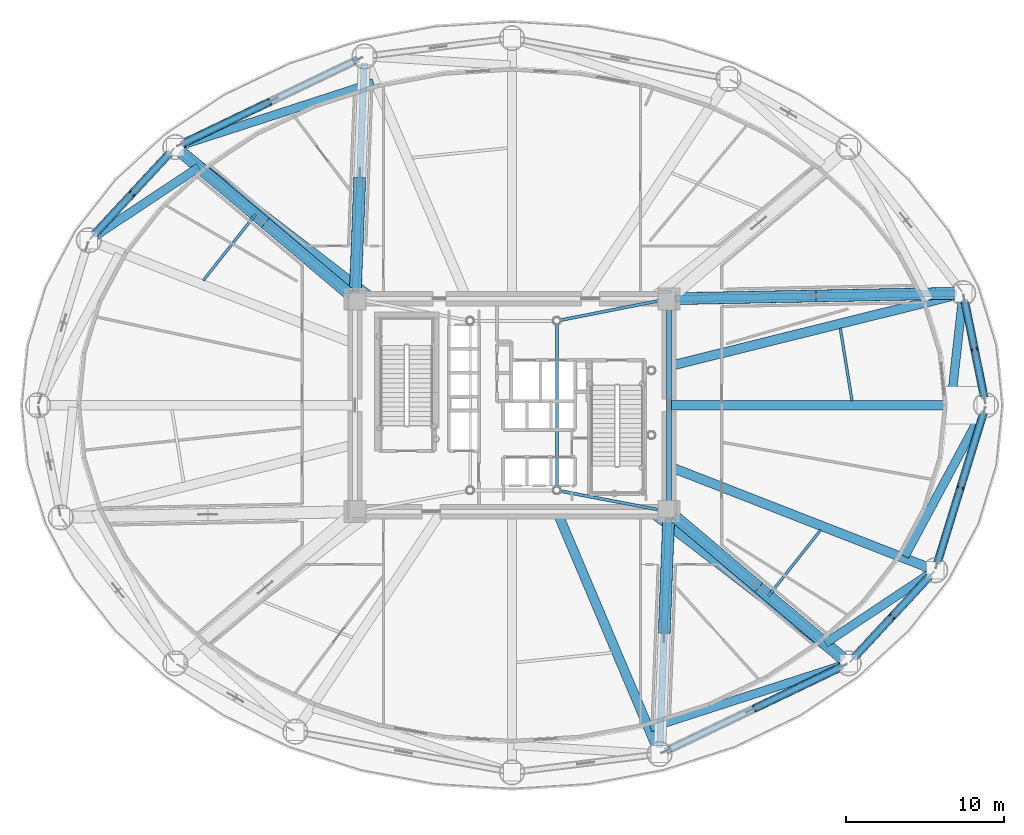
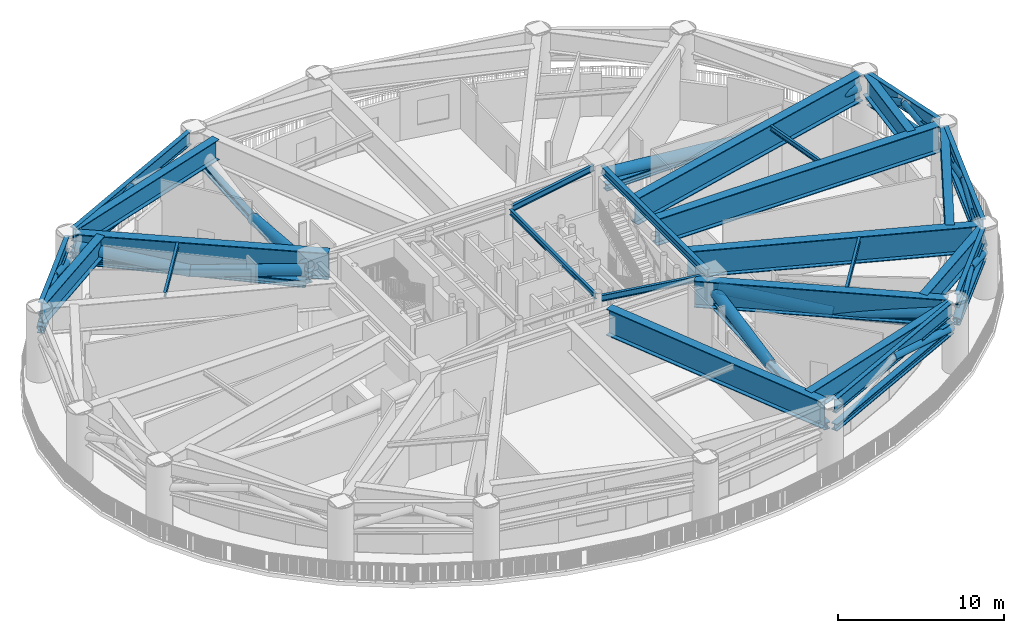
# One storey, part 4 of 22: 36 beams, 18 members.
"""IFC4 building model written with IfcOpenShell, lengths in metres."""

from ifc_helpers import new_model, si_unit, direction, frame, origin, origin_2d, place, context, subcontext, project, spatial, hollow_circle, i_section, extrude, material, material_profile, profile_set, type_object, element, save


model = new_model("IFC4")

# Units and contexts
model_context = context("Model", 3, precision=1e-05, world=origin(), true_north=direction((0.0, 1.0)))
body_context = subcontext(model_context, "Body", "Model", "MODEL_VIEW")
ifc_project = project(units=[si_unit("LENGTHUNIT", "METRE"), si_unit("AREAUNIT", "SQUARE_METRE"), si_unit("VOLUMEUNIT", "CUBIC_METRE"), si_unit("PLANEANGLEUNIT", "RADIAN"), si_unit("MASSUNIT", "GRAM", prefix="KILO")], contexts=[model_context])

# Site, building, storey
site_placement = place(None, origin())
site = spatial("IfcSite", under=ifc_project, at=site_placement, CompositionType="ELEMENT")
building_placement = place(site_placement, origin())
building = spatial("IfcBuilding", under=site, at=building_placement, Name="Linh Dai School and Residence Tower", CompositionType="ELEMENT")
storey_placement = place(building_placement, frame((0.0, 0.0, 87.0)))
storey = spatial("IfcBuildingStorey", under=building, at=storey_placement, Name="L20", CompositionType="ELEMENT", Elevation=87.0)

# Beams
ifc_material = material(Name="Structural Steel S355JR", Category="steel")
ifc_material_profile_1 = material_profile(ifc_material, i_section(OverallWidth=0.41796875, OverallDepth=0.506103515625, WebThickness=0.038818359375, FlangeThickness=0.05810546875, FilletRadius=0.014892578125, at=origin_2d()), Name="HD 400x551")
ifc_profile_set_1 = profile_set([ifc_material_profile_1], Name="Structural Steel S355JR")
beam_type_1 = type_object("IfcBeamType", Name="BM-BC1", PredefinedType="BEAM", material=ifc_profile_set_1)
beam_1_placement = place(storey_placement, frame((65.966552734375, 27.41162109375, 3.050048828125), z_axis=(-0.198429171022, 0.980115230005, 0.0), x_axis=(-0.980115230005, -0.198429171022, 0.0)))
element("IfcBeam", 1, at=beam_1_placement, inside=storey, type_object=beam_type_1, Name="L20 Ring Belt Truss BT2 Bottom Chord 01", PredefinedType="BEAM", context=body_context, shape_type="SweptSolid", body=[
    extrude(i_section(OverallWidth=0.41796875, OverallDepth=0.506103515625, WebThickness=0.038818359375, FlangeThickness=0.05810546875, FilletRadius=0.014892578125, at=origin_2d()), origin(), (0.0, 0.0, 1.0), 6.41259765625),
])
beam_2_placement = place(storey_placement, frame((26.263427734375, 48.938232421875, 3.050048828125), z_axis=(-0.901728693485, -0.432302398034, 0.0), x_axis=(0.432302398034, -0.901728693485, 0.0)))
element("IfcBeam", 2, at=beam_2_placement, inside=storey, type_object=beam_type_1, Name="L20 Ring Belt Truss BT2 Bottom Chord 06", PredefinedType="BEAM", context=body_context, shape_type="SweptSolid", body=[
    extrude(i_section(OverallWidth=0.41796875, OverallDepth=0.506103515625, WebThickness=0.038818359375, FlangeThickness=0.05810546875, FilletRadius=0.014892578125, at=origin_2d()), origin(), (0.0, 0.0, 1.0), 12.462158203125),
])
beam_3_placement = place(storey_placement, frame((14.361572265625, 43.061279296875, 3.050048828125), z_axis=(-0.680408287194, -0.732833243458, 0.0), x_axis=(0.732833243458, -0.680408287194, 0.0)))
element("IfcBeam", 3, at=beam_3_placement, inside=storey, type_object=beam_type_1, Name="L20 Ring Belt Truss BT2 Bottom Chord 07", PredefinedType="BEAM", context=body_context, shape_type="SweptSolid", body=[
    extrude(i_section(OverallWidth=0.41796875, OverallDepth=0.506103515625, WebThickness=0.038818359375, FlangeThickness=0.05810546875, FilletRadius=0.014892578125, at=origin_2d()), origin(), (0.0, 0.0, 1.0), 7.21826171875),
])
beam_4_placement = place(storey_placement, frame((45.736572265625, 5.061767578125, 3.050048828125), z_axis=(0.901728693485, 0.432302398034, 0.0), x_axis=(-0.432302398034, 0.901728693485, 0.0)))
element("IfcBeam", 4, at=beam_4_placement, inside=storey, type_object=beam_type_1, Name="L20 Ring Belt Truss BT2 Bottom Chord 14", PredefinedType="BEAM", context=body_context, shape_type="SweptSolid", body=[
    extrude(i_section(OverallWidth=0.41796875, OverallDepth=0.506103515625, WebThickness=0.038818359375, FlangeThickness=0.05810546875, FilletRadius=0.014892578125, at=origin_2d()), origin(), (0.0, 0.0, 1.0), 12.462158203125),
])
beam_5_placement = place(storey_placement, frame((57.638427734375, 10.938720703125, 3.050048828125), z_axis=(0.680408287194, 0.732833243458, 0.0), x_axis=(-0.732833243458, 0.680408287194, 0.0)))
element("IfcBeam", 5, at=beam_5_placement, inside=storey, type_object=beam_type_1, Name="L20 Ring Belt Truss BT2 Bottom Chord 15", PredefinedType="BEAM", context=body_context, shape_type="SweptSolid", body=[
    extrude(i_section(OverallWidth=0.41796875, OverallDepth=0.506103515625, WebThickness=0.038818359375, FlangeThickness=0.05810546875, FilletRadius=0.014892578125, at=origin_2d()), origin(), (0.0, 0.0, 1.0), 7.21826171875),
])
beam_6_placement = place(storey_placement, frame((62.958740234375, 16.937744140625, 3.050048828125), z_axis=(0.293673329015, 0.95590584046, 0.0), x_axis=(-0.95590584046, 0.293673329015, 0.0)))
element("IfcBeam", 6, at=beam_6_placement, inside=storey, type_object=beam_type_1, Name="L20 Ring Belt Truss BT2 Bottom Chord 16", PredefinedType="BEAM", context=body_context, shape_type="SweptSolid", body=[
    extrude(i_section(OverallWidth=0.41796875, OverallDepth=0.506103515625, WebThickness=0.038818359375, FlangeThickness=0.05810546875, FilletRadius=0.014892578125, at=origin_2d()), origin(), (0.0, 0.0, 1.0), 10.1064453125),
])
beam_7_placement = place(storey_placement, frame((46.369873046875, 33.758056640625, 3.10009765625), z_axis=(0.99981560053, 0.019203253263, 0.0), x_axis=(-0.019203253263, 0.99981560053, 0.0)))
element("IfcBeam", 7, at=beam_7_placement, inside=storey, type_object=beam_type_1, Name="L20 Outrigger Truss OT1 Bottom Chord 01", PredefinedType="BEAM", context=body_context, shape_type="SweptSolid", body=[
    extrude(i_section(OverallWidth=0.41796875, OverallDepth=0.506103515625, WebThickness=0.038818359375, FlangeThickness=0.05810546875, FilletRadius=0.014892578125, at=origin_2d()), origin(), (0.0, 0.0, 1.0), 17.82421875),
])
beam_8_placement = place(storey_placement, frame((26.066162109375, 34.169677734375, 3.10009765625), z_axis=(0.038498246301, 0.999258667729, 0.0), x_axis=(-0.999258667729, 0.038498246301, 0.0)))
element("IfcBeam", 8, at=beam_8_placement, inside=storey, type_object=beam_type_1, Name="L20 Outrigger Truss OT1 Bottom Chord 03", PredefinedType="BEAM", context=body_context, shape_type="SweptSolid", body=[
    extrude(i_section(OverallWidth=0.41796875, OverallDepth=0.506103515625, WebThickness=0.038818359375, FlangeThickness=0.05810546875, FilletRadius=0.014892578125, at=origin_2d()), origin(), (0.0, 0.0, 1.0), 14.541259765625),
])
beam_9_placement = place(storey_placement, frame((25.72900390625, 34.020751953125, 3.10009765625), z_axis=(-0.764352378817, 0.644798760077, 0.0), x_axis=(-0.644798760077, -0.764352378817, 0.0)))
element("IfcBeam", 9, at=beam_9_placement, inside=storey, type_object=beam_type_1, Name="L20 Outrigger Truss OT1 Bottom Chord 04", PredefinedType="BEAM", context=body_context, shape_type="SweptSolid", body=[
    extrude(i_section(OverallWidth=0.41796875, OverallDepth=0.506103515625, WebThickness=0.038818359375, FlangeThickness=0.05810546875, FilletRadius=0.014892578125, at=origin_2d()), origin(), (0.0, 0.0, 1.0), 14.078369140625),
])
beam_10_placement = place(storey_placement, frame((45.933837890625, 19.830322265625, 3.10009765625), z_axis=(-0.038498246301, -0.999258667729, 0.0), x_axis=(0.999258667729, -0.038498246301, 0.0)))
element("IfcBeam", 10, at=beam_10_placement, inside=storey, type_object=beam_type_1, Name="L20 Outrigger Truss OT1 Bottom Chord 07", PredefinedType="BEAM", context=body_context, shape_type="SweptSolid", body=[
    extrude(i_section(OverallWidth=0.41796875, OverallDepth=0.506103515625, WebThickness=0.038818359375, FlangeThickness=0.05810546875, FilletRadius=0.014892578125, at=origin_2d()), origin(), (0.0, 0.0, 1.0), 14.541259765625),
])
beam_11_placement = place(storey_placement, frame((46.27099609375, 19.979248046875, 3.10009765625), z_axis=(0.764352378817, -0.644798760077, 0.0), x_axis=(0.644798760077, 0.764352378817, 0.0)))
element("IfcBeam", 11, at=beam_11_placement, inside=storey, type_object=beam_type_1, Name="L20 Outrigger Truss OT1 Bottom Chord 08", PredefinedType="BEAM", context=body_context, shape_type="SweptSolid", body=[
    extrude(i_section(OverallWidth=0.41796875, OverallDepth=0.506103515625, WebThickness=0.038818359375, FlangeThickness=0.05810546875, FilletRadius=0.014892578125, at=origin_2d()), origin(), (0.0, 0.0, 1.0), 14.078369140625),
])
ifc_material_profile_2 = material_profile(ifc_material, i_section(OverallWidth=0.300048828125, OverallDepth=1.0, WebThickness=0.01904296875, FlangeThickness=0.035888671875, FilletRadius=0.030029296875, at=origin_2d()), Name="HEB 1000")
ifc_profile_set_2 = profile_set([ifc_material_profile_2], Name="Structural Steel S355JR")
beam_type_2 = type_object("IfcBeamType", Name="BM-RG10", PredefinedType="BEAM", material=ifc_profile_set_2)
beam_12_placement = place(storey_placement, frame((65.966552734375, 27.41162109375, 4.60009765625), z_axis=(-0.198429171022, 0.980115230005, 0.0), x_axis=(-0.980115230005, -0.198429171022, 0.0)))
element("IfcBeam", 12, at=beam_12_placement, inside=storey, type_object=beam_type_2, Name="L20 Perimeter Elliptical Ring Beam 01", PredefinedType="BEAM", context=body_context, shape_type="SweptSolid", body=[
    extrude(i_section(OverallWidth=0.300048828125, OverallDepth=1.0, WebThickness=0.01904296875, FlangeThickness=0.035888671875, FilletRadius=0.030029296875, at=origin_2d()), origin(), (0.0, 0.0, 1.0), 6.41259765625),
])
beam_13_placement = place(storey_placement, frame((26.263427734375, 48.938232421875, 4.60009765625), z_axis=(-0.901728693485, -0.432302398034, 0.0), x_axis=(0.432302398034, -0.901728693485, 0.0)))
element("IfcBeam", 13, at=beam_13_placement, inside=storey, type_object=beam_type_2, Name="L20 Perimeter Elliptical Ring Beam 06", PredefinedType="BEAM", context=body_context, shape_type="SweptSolid", body=[
    extrude(i_section(OverallWidth=0.300048828125, OverallDepth=1.0, WebThickness=0.01904296875, FlangeThickness=0.035888671875, FilletRadius=0.030029296875, at=origin_2d()), origin(), (0.0, 0.0, 1.0), 12.462158203125),
])
beam_14_placement = place(storey_placement, frame((14.361572265625, 43.061279296875, 4.60009765625), z_axis=(-0.680408287194, -0.732833243458, 0.0), x_axis=(0.732833243458, -0.680408287194, 0.0)))
element("IfcBeam", 14, at=beam_14_placement, inside=storey, type_object=beam_type_2, Name="L20 Perimeter Elliptical Ring Beam 07", PredefinedType="BEAM", context=body_context, shape_type="SweptSolid", body=[
    extrude(i_section(OverallWidth=0.300048828125, OverallDepth=1.0, WebThickness=0.01904296875, FlangeThickness=0.035888671875, FilletRadius=0.030029296875, at=origin_2d()), origin(), (0.0, 0.0, 1.0), 7.21826171875),
])
beam_15_placement = place(storey_placement, frame((45.736572265625, 5.061767578125, 4.60009765625), z_axis=(0.901728693485, 0.432302398034, 0.0), x_axis=(-0.432302398034, 0.901728693485, 0.0)))
element("IfcBeam", 15, at=beam_15_placement, inside=storey, type_object=beam_type_2, Name="L20 Perimeter Elliptical Ring Beam 14", PredefinedType="BEAM", context=body_context, shape_type="SweptSolid", body=[
    extrude(i_section(OverallWidth=0.300048828125, OverallDepth=1.0, WebThickness=0.01904296875, FlangeThickness=0.035888671875, FilletRadius=0.030029296875, at=origin_2d()), origin(), (0.0, 0.0, 1.0), 12.462158203125),
])
beam_16_placement = place(storey_placement, frame((57.638427734375, 10.938720703125, 4.60009765625), z_axis=(0.680408287194, 0.732833243458, 0.0), x_axis=(-0.732833243458, 0.680408287194, 0.0)))
element("IfcBeam", 16, at=beam_16_placement, inside=storey, type_object=beam_type_2, Name="L20 Perimeter Elliptical Ring Beam 15", PredefinedType="BEAM", context=body_context, shape_type="SweptSolid", body=[
    extrude(i_section(OverallWidth=0.300048828125, OverallDepth=1.0, WebThickness=0.01904296875, FlangeThickness=0.035888671875, FilletRadius=0.030029296875, at=origin_2d()), origin(), (0.0, 0.0, 1.0), 7.21826171875),
])
beam_17_placement = place(storey_placement, frame((62.958740234375, 16.937744140625, 4.60009765625), z_axis=(0.293673329015, 0.95590584046, 0.0), x_axis=(-0.95590584046, 0.293673329015, 0.0)))
element("IfcBeam", 17, at=beam_17_placement, inside=storey, type_object=beam_type_2, Name="L20 Perimeter Elliptical Ring Beam 16", PredefinedType="BEAM", context=body_context, shape_type="SweptSolid", body=[
    extrude(i_section(OverallWidth=0.300048828125, OverallDepth=1.0, WebThickness=0.01904296875, FlangeThickness=0.035888671875, FilletRadius=0.030029296875, at=origin_2d()), origin(), (0.0, 0.0, 1.0), 10.1064453125),
])
ifc_material_profile_3 = material_profile(ifc_material, i_section(OverallWidth=0.300048828125, OverallDepth=0.550048828125, WebThickness=0.014892578125, FlangeThickness=0.029052734375, FilletRadius=0.027099609375, at=origin_2d()), Name="HEB 550")
ifc_profile_set_3 = profile_set([ifc_material_profile_3], Name="Structural Steel S355JR")
beam_type_3 = type_object("IfcBeamType", Name="BM-RG55", PredefinedType="BEAM", material=ifc_profile_set_3)
beam_18_placement = place(storey_placement, frame((45.949951171875, 20.669921875, 4.824951171875), z_axis=(0.0, 1.0, 0.0), x_axis=(-1.0, 0.0, 0.0)))
element("IfcBeam", 18, at=beam_18_placement, inside=storey, type_object=beam_type_3, Name="L20 Core Perimeter Coupling Girder 2", PredefinedType="BEAM", context=body_context, shape_type="SweptSolid", body=[
    extrude(i_section(OverallWidth=0.300048828125, OverallDepth=0.550048828125, WebThickness=0.014892578125, FlangeThickness=0.029052734375, FilletRadius=0.027099609375, at=origin_2d()), origin(), (0.0, 0.0, 1.0), 12.66015625),
])
ifc_material_profile_4 = material_profile(ifc_material, i_section(OverallWidth=0.169921875, OverallDepth=0.360107421875, WebThickness=0.008056640625, FlangeThickness=0.0126953125, FilletRadius=0.01806640625, at=origin_2d()), Name="IPE 360")
ifc_profile_set_4 = profile_set([ifc_material_profile_4], Name="Structural Steel S355JR")
beam_type_4 = type_object("IfcBeamType", Name="BM-SB36", PredefinedType="BEAM", material=ifc_profile_set_4)
beam_19_placement = place(storey_placement, frame((57.563232421875, 27.2763671875, 4.919921875), z_axis=(-0.159664860772, 0.987171278064, 0.0), x_axis=(-0.987171278064, -0.159664860772, 0.0)))
element("IfcBeam", 19, at=beam_19_placement, inside=storey, type_object=beam_type_4, Name="L20 Secondary Circumferential Floor Beam 01", PredefinedType="BEAM", context=body_context, shape_type="SweptSolid", body=[
    extrude(i_section(OverallWidth=0.169921875, OverallDepth=0.360107421875, WebThickness=0.008056640625, FlangeThickness=0.0126953125, FilletRadius=0.01806640625, at=origin_2d()), origin(), (0.0, 0.0, 1.0), 4.668212890625),
])
for number, where, z_axis, x_axis, name in (
    (20, (19.74365234375, 39.109375, 4.919921875), (-0.620210083037, -0.784435754475, 0.0), (0.784435754475, -0.620210083037, 0.0), "L20 Secondary Circumferential Floor Beam 04"),
    (21, (52.25634765625, 14.890625, 4.919921875), (0.620210083037, 0.784435754475, 0.0), (-0.784435754475, 0.620210083037, 0.0), "L20 Secondary Circumferential Floor Beam 08"),
):
    element("IfcBeam", number, at=place(storey_placement, frame(where, z_axis=z_axis, x_axis=x_axis)), inside=storey, type_object=beam_type_4, Name=name, PredefinedType="BEAM", context=body_context, shape_type="SweptSolid", body=[
        extrude(i_section(OverallWidth=0.169921875, OverallDepth=0.360107421875, WebThickness=0.008056640625, FlangeThickness=0.0126953125, FilletRadius=0.01806640625, at=origin_2d()), origin(), (0.0, 0.0, 1.0), 5.343017578125),
    ])
ifc_material_profile_5 = material_profile(ifc_material, i_section(OverallWidth=0.179931640625, OverallDepth=0.39990234375, WebThickness=0.008544921875, FlangeThickness=0.013427734375, FilletRadius=0.02099609375, at=origin_2d()), Name="IPE 400")
ifc_profile_set_5 = profile_set([ifc_material_profile_5], Name="Structural Steel S355JR")
beam_type_5 = type_object("IfcBeamType", Name="BM-SB40", PredefinedType="BEAM", material=ifc_profile_set_5)
beam_20_placement = place(storey_placement, frame((38.85009765625, 21.823974609375, 4.89990234375), z_axis=(0.0, 1.0, 0.0), x_axis=(-1.0, 0.0, 0.0)))
element("IfcBeam", 22, at=beam_20_placement, inside=storey, type_object=beam_type_5, Name="L20 Core Mast Pier Tie Beam 2", PredefinedType="BEAM", context=body_context, shape_type="SweptSolid", body=[
    extrude(i_section(OverallWidth=0.179931640625, OverallDepth=0.39990234375, WebThickness=0.008544921875, FlangeThickness=0.013427734375, FilletRadius=0.02099609375, at=origin_2d()), origin(), (0.0, 0.0, 1.0), 10.302001953125),
])
ifc_material_profile_6 = material_profile(ifc_material, i_section(OverallWidth=0.18994140625, OverallDepth=0.449951171875, WebThickness=0.009521484375, FlangeThickness=0.0146484375, FilletRadius=0.02099609375, at=origin_2d()), Name="IPE 450")
ifc_profile_set_6 = profile_set([ifc_material_profile_6], Name="Structural Steel S355JR")
beam_type_6 = type_object("IfcBeamType", Name="BM-SB45", PredefinedType="BEAM", material=ifc_profile_set_6)
beam_21_placement = place(storey_placement, frame((45.537353515625, 20.328369140625, 4.875), z_axis=(-0.982397918823, 0.186800238471, 0.0), x_axis=(-0.186800238471, -0.982397918823, 0.0)))
element("IfcBeam", 23, at=beam_21_placement, inside=storey, type_object=beam_type_6, Name="L20 Core Corner-to-Mast Pier Beam 2", PredefinedType="BEAM", context=body_context, shape_type="SweptSolid", body=[
    extrude(i_section(OverallWidth=0.18994140625, OverallDepth=0.449951171875, WebThickness=0.009521484375, FlangeThickness=0.0146484375, FilletRadius=0.02099609375, at=origin_2d()), origin(), (0.0, 0.0, 1.0), 6.583251953125),
])
beam_22_placement = place(storey_placement, frame((45.537841796875, 33.668701171875, 4.875), z_axis=(-0.981108354988, -0.193459028666, 0.0), x_axis=(0.193459028666, -0.981108354988, 0.0)))
element("IfcBeam", 24, at=beam_22_placement, inside=storey, type_object=beam_type_6, Name="L20 Core Corner-to-Mast Pier Beam 3", PredefinedType="BEAM", context=body_context, shape_type="SweptSolid", body=[
    extrude(i_section(OverallWidth=0.18994140625, OverallDepth=0.449951171875, WebThickness=0.009521484375, FlangeThickness=0.0146484375, FilletRadius=0.02099609375, at=origin_2d()), origin(), (0.0, 0.0, 1.0), 6.592529296875),
])
ifc_material_profile_7 = material_profile(ifc_material, i_section(OverallWidth=0.550048828125, OverallDepth=1.5, WebThickness=0.028076171875, FlangeThickness=0.050048828125, at=origin_2d()), Name="PG 1500x550x28x50")
ifc_profile_set_7 = profile_set([ifc_material_profile_7], Name="Structural Steel S355JR")
beam_type_7 = type_object("IfcBeamType", Name="BM-TG15", PredefinedType="BEAM", material=ifc_profile_set_7)
beam_23_placement = place(storey_placement, frame((63.838134765625, 27.119384765625, 4.35009765625), z_axis=(0.109888443668, 0.993943926964, 0.0), x_axis=(-0.993943926964, 0.109888443668, 0.0)))
element("IfcBeam", 25, at=beam_23_placement, inside=storey, type_object=beam_type_7, Name="L20 Setback Diaphragm Transfer Girder 01", PredefinedType="BEAM", context=body_context, shape_type="SweptSolid", body=[
    extrude(i_section(OverallWidth=0.550048828125, OverallDepth=1.5, WebThickness=0.028076171875, FlangeThickness=0.050048828125, at=origin_2d()), origin(), (0.0, 0.0, 1.0), 6.61181640625),
])
beam_24_placement = place(storey_placement, frame((27.22021484375, 47.443603515625, 4.35009765625), z_axis=(-0.951292551608, -0.308289606142, 0.0), x_axis=(0.308289606142, -0.951292551608, 0.0)))
element("IfcBeam", 26, at=beam_24_placement, inside=storey, type_object=beam_type_7, Name="L20 Setback Diaphragm Transfer Girder 06", PredefinedType="BEAM", context=body_context, shape_type="SweptSolid", body=[
    extrude(i_section(OverallWidth=0.550048828125, OverallDepth=1.5, WebThickness=0.028076171875, FlangeThickness=0.050048828125, at=origin_2d()), origin(), (0.0, 0.0, 1.0), 12.796630859375),
])
beam_25_placement = place(storey_placement, frame((16.12744140625, 42.089111328125, 4.35009765625), z_axis=(-0.832957521637, -0.553336938175, 0.0), x_axis=(0.553336938175, -0.832957521637, 0.0)))
element("IfcBeam", 27, at=beam_25_placement, inside=storey, type_object=beam_type_7, Name="L20 Setback Diaphragm Transfer Girder 07", PredefinedType="BEAM", context=body_context, shape_type="SweptSolid", body=[
    extrude(i_section(OverallWidth=0.550048828125, OverallDepth=1.5, WebThickness=0.028076171875, FlangeThickness=0.050048828125, at=origin_2d()), origin(), (0.0, 0.0, 1.0), 7.939208984375),
])
beam_26_placement = place(storey_placement, frame((44.77978515625, 6.556396484375, 4.35009765625), z_axis=(0.951292551608, 0.308289606142, 0.0), x_axis=(-0.308289606142, 0.951292551608, 0.0)))
element("IfcBeam", 28, at=beam_26_placement, inside=storey, type_object=beam_type_7, Name="L20 Setback Diaphragm Transfer Girder 14", PredefinedType="BEAM", context=body_context, shape_type="SweptSolid", body=[
    extrude(i_section(OverallWidth=0.550048828125, OverallDepth=1.5, WebThickness=0.028076171875, FlangeThickness=0.050048828125, at=origin_2d()), origin(), (0.0, 0.0, 1.0), 12.796630859375),
])
beam_27_placement = place(storey_placement, frame((55.87255859375, 11.910888671875, 4.35009765625), z_axis=(0.832957521637, 0.553336938175, 0.0), x_axis=(-0.553336938175, 0.832957521637, 0.0)))
element("IfcBeam", 29, at=beam_27_placement, inside=storey, type_object=beam_type_7, Name="L20 Setback Diaphragm Transfer Girder 15", PredefinedType="BEAM", context=body_context, shape_type="SweptSolid", body=[
    extrude(i_section(OverallWidth=0.550048828125, OverallDepth=1.5, WebThickness=0.028076171875, FlangeThickness=0.050048828125, at=origin_2d()), origin(), (0.0, 0.0, 1.0), 7.939208984375),
])
beam_28_placement = place(storey_placement, frame((60.90576171875, 17.418212890625, 4.35009765625), z_axis=(0.473018898391, 0.881052280949, 0.0), x_axis=(-0.881052280949, 0.473018898391, 0.0)))
element("IfcBeam", 30, at=beam_28_placement, inside=storey, type_object=beam_type_7, Name="L20 Setback Diaphragm Transfer Girder 16", PredefinedType="BEAM", context=body_context, shape_type="SweptSolid", body=[
    extrude(i_section(OverallWidth=0.550048828125, OverallDepth=1.5, WebThickness=0.028076171875, FlangeThickness=0.050048828125, at=origin_2d()), origin(), (0.0, 0.0, 1.0), 10.455322265625),
])
ifc_material_profile_8 = material_profile(ifc_material, i_section(OverallWidth=0.60009765625, OverallDepth=1.949951171875, WebThickness=0.031982421875, FlangeThickness=0.054931640625, at=origin_2d()), Name="PG 1950x600x32x55")
ifc_profile_set_8 = profile_set([ifc_material_profile_8], Name="Structural Steel S355JR")
beam_type_8 = type_object("IfcBeamType", Name="BM-TG19", PredefinedType="BEAM", material=ifc_profile_set_8)
beam_29_placement = place(storey_placement, frame((45.949951171875, 27.0, 4.125), z_axis=(1.0, 0.0, 0.0), x_axis=(0.0, 1.0, 0.0)))
element("IfcBeam", 31, at=beam_29_placement, inside=storey, type_object=beam_type_8, Name="L20 Radial Setback Transfer Girder 01", PredefinedType="BEAM", context=body_context, shape_type="SweptSolid", body=[
    extrude(i_section(OverallWidth=0.60009765625, OverallDepth=1.949951171875, WebThickness=0.031982421875, FlangeThickness=0.054931640625, at=origin_2d()), origin(), (0.0, 0.0, 1.0), 19.679931640625),
])
beam_30_placement = place(storey_placement, frame((45.949951171875, 29.47216796875, 4.125), z_axis=(0.970493481328, 0.241127357843, 0.0), x_axis=(-0.241127357843, 0.970493481328, 0.0)))
element("IfcBeam", 32, at=beam_30_placement, inside=storey, type_object=beam_type_8, Name="L20 Radial Setback Transfer Girder 02", PredefinedType="BEAM", context=body_context, shape_type="SweptSolid", body=[
    extrude(i_section(OverallWidth=0.60009765625, OverallDepth=1.949951171875, WebThickness=0.031982421875, FlangeThickness=0.054931640625, at=origin_2d()), origin(), (0.0, 0.0, 1.0), 18.80810546875),
])
beam_31_placement = place(storey_placement, frame((27.195068359375, 33.75, 4.125), z_axis=(-0.793637764155, 0.608390581212, 0.0), x_axis=(-0.608390581212, -0.793637764155, 0.0)))
element("IfcBeam", 33, at=beam_31_placement, inside=storey, type_object=beam_type_8, Name="L20 Radial Setback Transfer Girder 07", PredefinedType="BEAM", context=body_context, shape_type="SweptSolid", body=[
    extrude(i_section(OverallWidth=0.60009765625, OverallDepth=1.949951171875, WebThickness=0.031982421875, FlangeThickness=0.054931640625, at=origin_2d()), origin(), (0.0, 0.0, 1.0), 15.390625),
])
beam_32_placement = place(storey_placement, frame((38.85546875, 20.25, 4.125), z_axis=(0.38962432485, -0.920973878829, 0.0), x_axis=(0.920973878829, 0.38962432485, 0.0)))
element("IfcBeam", 34, at=beam_32_placement, inside=storey, type_object=beam_type_8, Name="L20 Radial Setback Transfer Girder 14", PredefinedType="BEAM", context=body_context, shape_type="SweptSolid", body=[
    extrude(i_section(OverallWidth=0.60009765625, OverallDepth=1.949951171875, WebThickness=0.031982421875, FlangeThickness=0.054931640625, at=origin_2d()), origin(), (0.0, 0.0, 1.0), 16.2685546875),
])
beam_33_placement = place(storey_placement, frame((44.804931640625, 20.25, 4.125), z_axis=(0.793637764155, -0.608390581212, 0.0), x_axis=(0.608390581212, 0.793637764155, 0.0)))
element("IfcBeam", 35, at=beam_33_placement, inside=storey, type_object=beam_type_8, Name="L20 Radial Setback Transfer Girder 15", PredefinedType="BEAM", context=body_context, shape_type="SweptSolid", body=[
    extrude(i_section(OverallWidth=0.60009765625, OverallDepth=1.949951171875, WebThickness=0.031982421875, FlangeThickness=0.054931640625, at=origin_2d()), origin(), (0.0, 0.0, 1.0), 15.390625),
])
beam_34_placement = place(storey_placement, frame((45.949951171875, 23.120361328125, 4.125), z_axis=(0.93167509369, -0.363292609061, 0.0), x_axis=(0.363292609061, 0.93167509369, 0.0)))
element("IfcBeam", 36, at=beam_34_placement, inside=storey, type_object=beam_type_8, Name="L20 Radial Setback Transfer Girder 16", PredefinedType="BEAM", context=body_context, shape_type="SweptSolid", body=[
    extrude(i_section(OverallWidth=0.60009765625, OverallDepth=1.949951171875, WebThickness=0.031982421875, FlangeThickness=0.054931640625, at=origin_2d()), origin(), (0.0, 0.0, 1.0), 17.703857421875),
])

# Members
ifc_material_profile_9 = material_profile(ifc_material, hollow_circle(Radius=0.25390625, WallThickness=0.02001953125, at=origin_2d()), Name="CHS 508x20")
ifc_profile_set_9 = profile_set([ifc_material_profile_9], Name="Structural Steel S355JR")
member_type_1 = type_object("IfcMemberType", Name="MBR-BT2", PredefinedType="BRACE", material=ifc_profile_set_9)
member_1_placement = place(storey_placement, frame((65.973388671875, 27.37841796875, 3.215087890625), z_axis=(-0.182490793337, 0.901230159348, 0.393041105011), x_axis=(-0.980108398941, -0.198462909195, 0.0)))
element("IfcMember", 37, at=member_1_placement, inside=storey, type_object=member_type_1, Name="L20 Ring Belt Truss BT2 Diagonal 01A", PredefinedType="BRACE", context=body_context, shape_type="SweptSolid", body=[
    extrude(hollow_circle(Radius=0.25390625, WallThickness=0.02001953125, at=origin_2d()), origin(), (0.0, 0.0, 1.0), 3.52392578125),
])
member_2_placement = place(storey_placement, frame((64.6875, 33.72998046875, 3.215087890625), z_axis=(0.182423816621, -0.901241552074, 0.393046073564), x_axis=(0.980123052541, 0.198390528701, 0.0)))
element("IfcMember", 38, at=member_2_placement, inside=storey, type_object=member_type_1, Name="L20 Ring Belt Truss BT2 Diagonal 01B", PredefinedType="BRACE", context=body_context, shape_type="SweptSolid", body=[
    extrude(hollow_circle(Radius=0.25390625, WallThickness=0.02001953125, at=origin_2d()), origin(), (0.0, 0.0, 1.0), 3.523681640625),
])
member_3_placement = place(storey_placement, frame((15.01611328125, 43.5458984375, 3.145263671875), z_axis=(0.878190761707, 0.421021144617, 0.226984981523), x_axis=(-0.432305059472, 0.901727417546, 0.0)))
element("IfcMember", 39, at=member_3_placement, inside=storey, type_object=member_type_1, Name="L20 Ring Belt Truss BT2 Diagonal 06B", PredefinedType="BRACE", context=body_context, shape_type="SweptSolid", body=[
    extrude(hollow_circle(Radius=0.25390625, WallThickness=0.02001953125, at=origin_2d()), origin(), (0.0, 0.0, 1.0), 6.409423828125),
])
for number, where, z_axis, x_axis, name in (
    (40, (14.380615234375, 43.081787109375, 3.20068359375), (-0.63505828329, -0.683923377594, 0.359095795582), (0.732800663817, -0.680443375388, 0.0), "L20 Ring Belt Truss BT2 Diagonal 07A"),
    (41, (9.43115234375, 37.7509765625, 3.20068359375), (0.634993689351, 0.683983928605, 0.359094694886), (-0.732865209616, 0.680373856445, 0.0), "L20 Ring Belt Truss BT2 Diagonal 07B"),
):
    element("IfcMember", number, at=place(storey_placement, frame(where, z_axis=z_axis, x_axis=x_axis)), inside=storey, type_object=member_type_1, Name=name, PredefinedType="BRACE", context=body_context, shape_type="SweptSolid", body=[
        extrude(hollow_circle(Radius=0.25390625, WallThickness=0.02001953125, at=origin_2d()), origin(), (0.0, 0.0, 1.0), 3.89697265625),
    ])
member_4_placement = place(storey_placement, frame((56.98388671875, 10.4541015625, 3.145263671875), z_axis=(-0.878190761707, -0.421021144617, 0.226984981523), x_axis=(0.432305059472, -0.901727417546, 0.0)))
element("IfcMember", 42, at=member_4_placement, inside=storey, type_object=member_type_1, Name="L20 Ring Belt Truss BT2 Diagonal 14B", PredefinedType="BRACE", context=body_context, shape_type="SweptSolid", body=[
    extrude(hollow_circle(Radius=0.25390625, WallThickness=0.02001953125, at=origin_2d()), origin(), (0.0, 0.0, 1.0), 6.409423828125),
])
for number, where, z_axis, x_axis, name in (
    (43, (57.619384765625, 10.918212890625, 3.20068359375), (0.63505828329, 0.683923377594, 0.359095795582), (-0.732800663817, 0.680443375388, 0.0), "L20 Ring Belt Truss BT2 Diagonal 15A"),
    (44, (62.56884765625, 16.2490234375, 3.20068359375), (-0.634993689351, -0.683983928605, 0.359094694886), (0.732865209616, -0.680373856445, 0.0), "L20 Ring Belt Truss BT2 Diagonal 15B"),
):
    element("IfcMember", number, at=place(storey_placement, frame(where, z_axis=z_axis, x_axis=x_axis)), inside=storey, type_object=member_type_1, Name=name, PredefinedType="BRACE", context=body_context, shape_type="SweptSolid", body=[
        extrude(hollow_circle(Radius=0.25390625, WallThickness=0.02001953125, at=origin_2d()), origin(), (0.0, 0.0, 1.0), 3.89697265625),
    ])
member_5_placement = place(storey_placement, frame((62.9541015625, 16.922607421875, 3.16455078125), z_axis=(0.282586468185, 0.919726735662, 0.27248416414), x_axis=(-0.955897646951, 0.293699997537, 0.0)))
element("IfcMember", 45, at=member_5_placement, inside=storey, type_object=member_type_1, Name="L20 Ring Belt Truss BT2 Diagonal 16A", PredefinedType="BRACE", context=body_context, shape_type="SweptSolid", body=[
    extrude(hollow_circle(Radius=0.25390625, WallThickness=0.02001953125, at=origin_2d()), origin(), (0.0, 0.0, 1.0), 5.268310546875),
])
member_6_placement = place(storey_placement, frame((65.931396484375, 26.61376953125, 3.16455078125), z_axis=(-0.282531784932, -0.919745918866, 0.272476118648), x_axis=(0.955915320928, -0.293642468344, 0.0)))
element("IfcMember", 46, at=member_6_placement, inside=storey, type_object=member_type_1, Name="L20 Ring Belt Truss BT2 Diagonal 16B", PredefinedType="BRACE", context=body_context, shape_type="SweptSolid", body=[
    extrude(hollow_circle(Radius=0.25390625, WallThickness=0.02001953125, at=origin_2d()), origin(), (0.0, 0.0, 1.0), 5.2685546875),
])
ifc_material_profile_10 = material_profile(ifc_material, hollow_circle(Radius=0.381103515625, WallThickness=0.02490234375, at=origin_2d()), Name="CHS 762x25")
ifc_profile_set_10 = profile_set([ifc_material_profile_10], Name="Structural Steel S355JR")
member_type_2 = type_object("IfcMemberType", Name="MBR-OT1", PredefinedType="BRACE", material=ifc_profile_set_10)
member_7_placement = place(storey_placement, frame((46.367431640625, 33.758056640625, 4.0791015625), z_axis=(0.993840400733, 0.019083521541, -0.109165365736), x_axis=(-0.019198257957, 0.999815696462, 0.0)))
element("IfcMember", 47, at=member_7_placement, inside=storey, type_object=member_type_2, Name="L20 Outrigger Truss OT1 Web Diagonal 01A", PredefinedType="BRACE", context=body_context, shape_type="SweptSolid", body=[
    extrude(hollow_circle(Radius=0.381103515625, WallThickness=0.02490234375, at=origin_2d()), origin(), (0.0, 0.0, 1.0), 8.968017578125),
])
member_8_placement = place(storey_placement, frame((64.193359375, 34.1005859375, 4.0791015625), z_axis=(-0.993840218399, -0.019110217851, -0.109162355533), x_axis=(0.01922510838, -0.999815180525, 0.0)))
element("IfcMember", 48, at=member_8_placement, inside=storey, type_object=member_type_2, Name="L20 Outrigger Truss OT1 Web Diagonal 01B", PredefinedType="BRACE", context=body_context, shape_type="SweptSolid", body=[
    extrude(hollow_circle(Radius=0.381103515625, WallThickness=0.02490234375, at=origin_2d()), origin(), (0.0, 0.0, 1.0), 8.96826171875),
])
member_9_placement = place(storey_placement, frame((26.06591796875, 34.166015625, 4.069580078125), z_axis=(0.038192089349, 0.990499195294, -0.132108699309), x_axis=(-0.999257451801, 0.03852979393, 0.0)))
element("IfcMember", 49, at=member_9_placement, inside=storey, type_object=member_type_2, Name="L20 Outrigger Truss OT1 Web Diagonal 03A", PredefinedType="BRACE", context=body_context, shape_type="SweptSolid", body=[
    extrude(hollow_circle(Radius=0.381103515625, WallThickness=0.02490234375, at=origin_2d()), origin(), (0.0, 0.0, 1.0), 7.338623046875),
])
for number, where, z_axis, x_axis, name in (
    (50, (25.73193359375, 34.018310546875, 4.06787109375), (-0.757238955318, 0.638793732783, -0.136131302444), (-0.644796267827, -0.764354481243, 0.0), "L20 Outrigger Truss OT1 Web Diagonal 04A"),
    (51, (14.96533203125, 43.100830078125, 4.06787109375), (0.757238955318, -0.638793732783, -0.136131302444), (0.644796267827, 0.764354481243, 0.0), "L20 Outrigger Truss OT1 Web Diagonal 04B"),
):
    element("IfcMember", number, at=place(storey_placement, frame(where, z_axis=z_axis, x_axis=x_axis)), inside=storey, type_object=member_type_2, Name=name, PredefinedType="BRACE", context=body_context, shape_type="SweptSolid", body=[
        extrude(hollow_circle(Radius=0.381103515625, WallThickness=0.02490234375, at=origin_2d()), origin(), (0.0, 0.0, 1.0), 7.109130859375),
    ])
member_10_placement = place(storey_placement, frame((45.93408203125, 19.833984375, 4.069580078125), z_axis=(-0.038192089349, -0.990499195294, -0.132108699309), x_axis=(0.999257451801, -0.03852979393, 0.0)))
element("IfcMember", 52, at=member_10_placement, inside=storey, type_object=member_type_2, Name="L20 Outrigger Truss OT1 Web Diagonal 07A", PredefinedType="BRACE", context=body_context, shape_type="SweptSolid", body=[
    extrude(hollow_circle(Radius=0.381103515625, WallThickness=0.02490234375, at=origin_2d()), origin(), (0.0, 0.0, 1.0), 7.338623046875),
])
for number, where, z_axis, x_axis, name in (
    (53, (46.26806640625, 19.981689453125, 4.06787109375), (0.757238955318, -0.638793732783, -0.136131302444), (0.644796267827, 0.764354481243, 0.0), "L20 Outrigger Truss OT1 Web Diagonal 08A"),
    (54, (57.03466796875, 10.899169921875, 4.06787109375), (-0.757238955318, 0.638793732783, -0.136131302444), (-0.644796267827, -0.764354481243, 0.0), "L20 Outrigger Truss OT1 Web Diagonal 08B"),
):
    element("IfcMember", number, at=place(storey_placement, frame(where, z_axis=z_axis, x_axis=x_axis)), inside=storey, type_object=member_type_2, Name=name, PredefinedType="BRACE", context=body_context, shape_type="SweptSolid", body=[
        extrude(hollow_circle(Radius=0.381103515625, WallThickness=0.02490234375, at=origin_2d()), origin(), (0.0, 0.0, 1.0), 7.109130859375),
    ])

save(model, "model.ifc")
